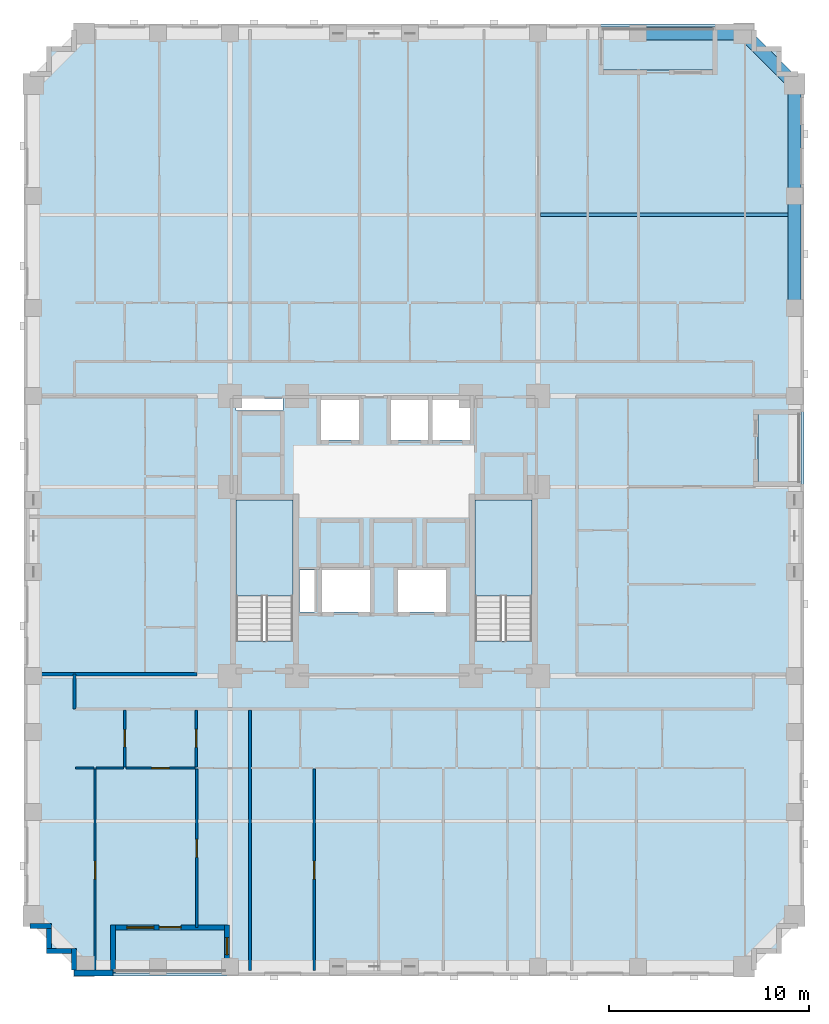
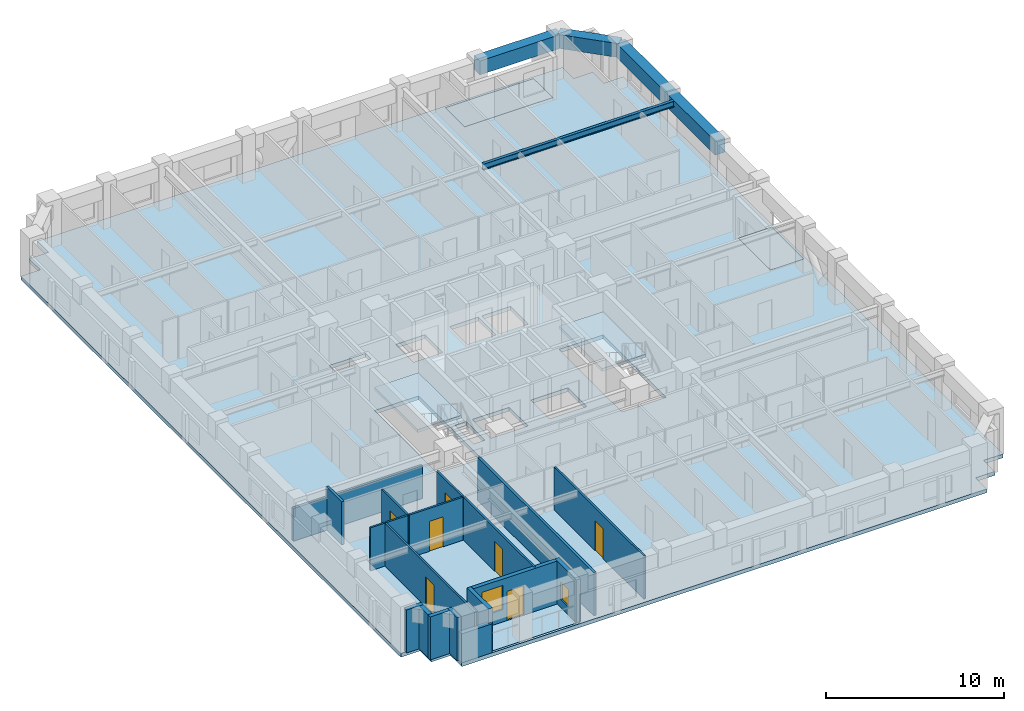
# One storey, part 2 of 14: 19 walls, 7 doors, 6 slabs, 5 beams, 2 windows, 9 openings, 2 elements without a shape of their own.
"""IFC4 building model written with IfcOpenShell, lengths in metres."""

import ifcopenshell
import ifcopenshell.guid

model = None  # the IFC model being written
_history = None  # IfcOwnerHistory: only IFC2X3 demands one
_inside = {}  # id of a spatial element -> (the spatial element, [elements in it])
_under = {}  # id of a project, library or spatial element -> (it, [spatial elements below it])
_declared = {}  # id of a project -> (the project, [libraries it declares])
_typed = {}  # id of a type object -> (the type object, [elements of that type])
_made_of = {}  # id of a material, layer set ... -> (it, [elements and type objects made of it])


def new_model(schema):
    """Start an empty IFC model of exactly this schema.

    Asked for "IFC4X3", IfcOpenShell would pick the latest addendum, in which some entities
    have other attributes; the version numbers below select the first issue.
    IFC2X3 requires an IfcOwnerHistory on every rooted entity: one is made here for all.
    """
    global model, _history
    if schema == "IFC4X3":
        model = ifcopenshell.file(schema_version=(4, 3, 0, 0))
    else:
        model = ifcopenshell.file(schema=schema)
    _inside.clear()
    _under.clear()
    _declared.clear()
    _typed.clear()
    _made_of.clear()
    _history = None
    if model.schema == "IFC2X3":
        org = make("IfcOrganization", Name="unknown")
        user = make(
            "IfcPersonAndOrganization",
            ThePerson=make("IfcPerson", FamilyName="unknown"),
            TheOrganization=org,
        )
        app = make(
            "IfcApplication",
            ApplicationDeveloper=org,
            Version="unknown",
            ApplicationFullName="unknown",
            ApplicationIdentifier="unknown",
        )
        _history = make(
            "IfcOwnerHistory",
            OwningUser=user,
            OwningApplication=app,
            ChangeAction="ADDED",
            CreationDate=0,
        )
    return model


def make(cls, **values):
    """One entity of the class cls with the attributes given. An attribute that is None is left unset."""
    return model.create_entity(
        cls, **{name: value for name, value in values.items() if value is not None}
    )


def rooted(cls, **values):
    """An entity with a GlobalId (a new one), such as an element, a storey or a relation."""
    return make(cls, GlobalId=ifcopenshell.guid.new(), OwnerHistory=_history, **values)


def si_unit(unit_type, name, prefix=None):
    """IfcSIUnit, for example si_unit("LENGTHUNIT", "METRE", prefix="MILLI")."""
    return make("IfcSIUnit", UnitType=unit_type, Prefix=prefix, Name=name)


def derived_unit(unit_type, elements):
    """IfcDerivedUnit: a product of units, each with its exponent."""
    return make(
        "IfcDerivedUnit",
        Elements=[
            make("IfcDerivedUnitElement", Unit=unit, Exponent=power)
            for unit, power in elements
        ],
        UnitType=unit_type,
    )


def assignment(units):
    """IfcUnitAssignment: the units of a project."""
    return None if units is None else make("IfcUnitAssignment", Units=units)


def point(xyz):
    """IfcCartesianPoint."""
    return None if xyz is None else make("IfcCartesianPoint", Coordinates=xyz)


def direction(xyz):
    """IfcDirection."""
    return None if xyz is None else make("IfcDirection", DirectionRatios=xyz)


def frame(location, z_axis=None, x_axis=None):
    """IfcAxis2Placement3D, a coordinate frame: its origin and axes. An axis left out is left unset."""
    return make(
        "IfcAxis2Placement3D",
        Location=point(location),
        Axis=direction(z_axis),
        RefDirection=direction(x_axis),
    )


def frame_2d(location, x_axis=None):
    """IfcAxis2Placement2D, a coordinate frame in the plane: its origin and x axis."""
    return make(
        "IfcAxis2Placement2D", Location=point(location), RefDirection=direction(x_axis)
    )


def origin():
    """The frame at (0, 0, 0) with its axes left unset."""
    return frame((0.0, 0.0, 0.0))


def origin_2d():
    """The frame at (0, 0) in the plane with its x axis left unset."""
    return frame_2d((0.0, 0.0))


def place(relative_to, where):
    """IfcLocalPlacement: puts the frame where relative to a parent placement (None: the world)."""
    return make(
        "IfcLocalPlacement", PlacementRelTo=relative_to, RelativePlacement=where
    )


def context(
    kind, dimensions, precision=None, world=None, true_north=None, identifier=None
):
    """IfcGeometricRepresentationContext, for example the 3D "Model" context."""
    return make(
        "IfcGeometricRepresentationContext",
        ContextIdentifier=identifier,
        ContextType=kind,
        CoordinateSpaceDimension=dimensions,
        Precision=precision,
        WorldCoordinateSystem=world,
        TrueNorth=true_north,
    )


def subcontext(parent, identifier, kind, view, scale=None):
    """IfcGeometricRepresentationSubContext, for example "Body" below "Model"."""
    return make(
        "IfcGeometricRepresentationSubContext",
        ContextIdentifier=identifier,
        ContextType=kind,
        ParentContext=parent,
        TargetScale=scale,
        TargetView=view,
    )


def project(units=None, contexts=None):
    """IfcProject with its units and contexts."""
    return rooted(
        "IfcProject",
        Name="project",
        RepresentationContexts=contexts,
        UnitsInContext=assignment(units),
    )


def spatial(cls, under=None, at=None, **own):
    """A site, building, storey or space (cls), placed at a placement, below another one or the project."""
    s = rooted(cls, ObjectPlacement=at, **own)
    if under is not None:
        _under.setdefault(under.id(), (under, []))[1].append(s)
    return s


def polyline(points):
    """IfcPolyline through the points."""
    return make("IfcPolyline", Points=[point(p) for p in points])


def profile(cls, at=None, kind="AREA", **sizes):
    """A parametric profile (cls). Its sizes go by their IFC names, for example OverallWidth=200.0."""
    return make(cls, ProfileType=kind, Position=at, **sizes)


def rectangle(**sizes):
    """IfcRectangleProfileDef."""
    return profile("IfcRectangleProfileDef", **sizes)


def i_section(**sizes):
    """IfcIShapeProfileDef."""
    return profile("IfcIShapeProfileDef", **sizes)


def outline(outer, holes=None, kind="AREA"):
    """IfcArbitraryClosedProfileDef: a profile drawn as a closed curve; with holes, ...WithVoids."""
    if holes is None:
        return make("IfcArbitraryClosedProfileDef", ProfileType=kind, OuterCurve=outer)
    return make(
        "IfcArbitraryProfileDefWithVoids",
        ProfileType=kind,
        OuterCurve=outer,
        InnerCurves=holes,
    )


def extrude(swept, where, along, depth):
    """IfcExtrudedAreaSolid: the profile swept, set in the frame where, extruded along a direction by depth."""
    return make(
        "IfcExtrudedAreaSolid",
        SweptArea=swept,
        Position=where,
        ExtrudedDirection=direction(along),
        Depth=depth,
    )


def shape(context_of_items, identifier, shape_type, items):
    """IfcShapeRepresentation: the items that make up one representation, for example the "Body"."""
    return make(
        "IfcShapeRepresentation",
        ContextOfItems=context_of_items,
        RepresentationIdentifier=identifier,
        RepresentationType=shape_type,
        Items=items,
    )


def material(Name=None, Category=None):
    """IfcMaterial."""
    return make("IfcMaterial", Name=Name, Category=Category)


def layer(
    of_material, thickness, ventilated=None, Name=None, Category=None, Priority=None
):
    """IfcMaterialLayer: one layer of a wall or slab, of a material (None: an air gap)."""
    return make(
        "IfcMaterialLayer",
        Material=of_material,
        LayerThickness=thickness,
        IsVentilated=ventilated,
        Name=Name,
        Category=Category,
        Priority=Priority,
    )


def layer_set(layers, Name=None):
    """IfcMaterialLayerSet."""
    return make("IfcMaterialLayerSet", MaterialLayers=layers, LayerSetName=Name)


def material_profile(
    of_material, cross_section, Name=None, Category=None, Priority=None
):
    """IfcMaterialProfile: a cross section and its material."""
    return make(
        "IfcMaterialProfile",
        Name=Name,
        Material=of_material,
        Profile=cross_section,
        Priority=Priority,
        Category=Category,
    )


def profile_set(profiles, Name=None, composite=None):
    """IfcMaterialProfileSet."""
    return make(
        "IfcMaterialProfileSet",
        Name=Name,
        MaterialProfiles=profiles,
        CompositeProfile=composite,
    )


def made_of(thing, what):
    """Note that an element or type object is made of a material, layer set ...; save() writes the relation."""
    if what is not None:
        _made_of.setdefault(what.id(), (what, []))[1].append(thing)
    return thing


def type_object(cls, material=None, **own):
    """A type object (cls), such as IfcWallType, which elements share."""
    return made_of(rooted(cls, **own), material)


def element(
    cls,
    number,
    at=None,
    inside=None,
    cuts=None,
    type_object=None,
    material=None,
    context=None,
    identifier="Body",
    shape_type=None,
    held_by="IfcProductDefinitionShape",
    body=None,
    shapes=None,
    **own,
):
    """One element of the class cls, such as IfcWall. Its Tag is "e" and its number.

    at: its placement. inside: the storey or other place that contains it. cuts: it is an
    opening in that element (IfcRelVoidsElement). A single representation is given by context,
    identifier, shape_type and body (its items); several are given by shapes. held_by: the class
    of the entity that holds the representations. save() writes the other relations.
    """
    e = rooted(cls, Tag="e%d" % number, ObjectPlacement=at, **own)
    if body is not None:
        shapes = [shape(context, identifier, shape_type, body)]
    if shapes is not None:
        e.Representation = make(held_by, Representations=shapes)
    if inside is not None:
        _inside.setdefault(inside.id(), (inside, []))[1].append(e)
    if cuts is not None:
        rooted(
            "IfcRelVoidsElement", RelatingBuildingElement=cuts, RelatedOpeningElement=e
        )
    if type_object is not None:
        _typed.setdefault(type_object.id(), (type_object, []))[1].append(e)
    return made_of(e, material)


def fill(opening, filler):
    """IfcRelFillsElement: the door or window that sits in an opening."""
    return rooted(
        "IfcRelFillsElement",
        RelatingOpeningElement=opening,
        RelatedBuildingElement=filler,
    )


def aggregate(whole, parts):
    """IfcRelAggregates: a whole, such as a stair, and the parts it consists of."""
    return rooted("IfcRelAggregates", RelatingObject=whole, RelatedObjects=parts)


def save(model, path):
    """Write the relations noted so far, then the file.

    IfcRelAggregates (storeys below a building ...), IfcRelContainedInSpatialStructure (elements
    in a storey), IfcRelDefinesByType, IfcRelAssociatesMaterial and IfcRelDeclares: one each for
    every whole, place, type object, material and project.
    """
    for whole, parts in _under.values():
        aggregate(whole, parts)
    for where, things in _inside.values():
        rooted(
            "IfcRelContainedInSpatialStructure",
            RelatedElements=things,
            RelatingStructure=where,
        )
    for kind, things in _typed.values():
        rooted("IfcRelDefinesByType", RelatedObjects=things, RelatingType=kind)
    for what, things in _made_of.values():
        rooted("IfcRelAssociatesMaterial", RelatedObjects=things, RelatingMaterial=what)
    for by, libraries in _declared.values():
        rooted("IfcRelDeclares", RelatingContext=by, RelatedDefinitions=libraries)
    model.write(path)


model = new_model("IFC4")

# Units and contexts
model_context = context("Model", 3, precision=1e-05, world=origin(), true_north=direction((0.0, 1.0)))
body_context = subcontext(model_context, "Body", "Model", "MODEL_VIEW")
ifc_project = project(units=[si_unit("LENGTHUNIT", "METRE"), si_unit("AREAUNIT", "SQUARE_METRE"), si_unit("VOLUMEUNIT", "CUBIC_METRE"), si_unit("PLANEANGLEUNIT", "RADIAN"), si_unit("MASSUNIT", "GRAM", prefix="KILO"), derived_unit("THERMALTRANSMITTANCEUNIT", [(si_unit("MASSUNIT", "GRAM", prefix="KILO"), 1), (si_unit("TIMEUNIT", "SECOND"), -3), (si_unit("THERMODYNAMICTEMPERATUREUNIT", "KELVIN"), -1)])], contexts=[model_context])

# Site, building, storey
site_placement = place(None, origin())
site = spatial("IfcSite", under=ifc_project, at=site_placement, CompositionType="ELEMENT")
building_placement = place(site_placement, origin())
building = spatial("IfcBuilding", under=site, at=building_placement, Name="Korrvale Station Residences", CompositionType="ELEMENT")
storey_placement = place(building_placement, frame((0.0, 0.0, 64.199951171875)))
storey = spatial("IfcBuildingStorey", under=building, at=storey_placement, Name="L17", CompositionType="ELEMENT", Elevation=64.199951171875)

# Beams
ifc_material_1 = material(Name="Steel S355", Category="steel")
ifc_material_profile_1 = material_profile(ifc_material_1, i_section(OverallWidth=0.180908203125, OverallDepth=0.4169921875, WebThickness=0.010986328125, FlangeThickness=0.018310546875, FilletRadius=0.01611328125, at=origin_2d()), Name="W410x85")
ifc_profile_set_1 = profile_set([ifc_material_profile_1], Name="Steel S355")
beam_type_1 = type_object("IfcBeamType", Name="BM-JST-W410x85-S355", PredefinedType="JOIST", material=ifc_profile_set_1)
beam_1_placement = place(storey_placement, frame((33.327880859375, 38.06005859375, 2.7314453125), z_axis=(1.0, 0.0, 0.0), x_axis=(0.0, 1.0, 0.0)))
element("IfcBeam", 1, at=beam_1_placement, inside=storey, type_object=beam_type_1, Name="L17 Floor Framing Joist 06", PredefinedType="JOIST", context=body_context, shape_type="SweptSolid", body=[
    extrude(i_section(OverallWidth=0.180908203125, OverallDepth=0.4169921875, WebThickness=0.010986328125, FlangeThickness=0.018310546875, FilletRadius=0.01611328125, at=origin_2d()), origin(), (0.0, 0.0, 1.0), 12.3671875),
])
ifc_material_2 = material(Name="Concrete C70/85", Category="concrete")
ifc_material_profile_2 = material_profile(ifc_material_2, rectangle(XDim=0.64990234375, YDim=0.949951171875, at=origin_2d()), Name="RCB650x950")
ifc_profile_set_2 = profile_set([ifc_material_profile_2], Name="Concrete C70/85")
beam_type_2 = type_object("IfcBeamType", Name="BM-SPB-RCB650x950-C7085", PredefinedType="SPANDREL", material=ifc_profile_set_2)
beam_2_placement = place(storey_placement, frame((38.199951171875, 47.1201171875, 2.465087890625), z_axis=(1.0, 0.0, 0.0), x_axis=(0.0, 1.0, 0.0)))
element("IfcBeam", 2, at=beam_2_placement, inside=storey, type_object=beam_type_2, Name="L17 North Tube Spandrel 14", PredefinedType="SPANDREL", context=body_context, shape_type="SweptSolid", body=[
    extrude(rectangle(XDim=0.64990234375, YDim=0.949951171875, at=origin_2d()), origin(), (0.0, 0.0, 1.0), 5.300048828125),
])
for number, where, z_axis, x_axis, name in (
    (3, (46.02001953125, 33.39990234375, 2.465087890625), (0.0, 1.0, 0.0), (-1.0, 0.0, 0.0), "L17 East Tube Spandrel 31"),
    (4, (46.02001953125, 39.0, 2.465087890625), (0.0, 1.0, 0.0), (-1.0, 0.0, 0.0), "L17 East Tube Spandrel 32"),
):
    element("IfcBeam", number, at=place(storey_placement, frame(where, z_axis=z_axis, x_axis=x_axis)), inside=storey, type_object=beam_type_2, Name=name, PredefinedType="SPANDREL", context=body_context, shape_type="SweptSolid", body=[
        extrude(rectangle(XDim=0.64990234375, YDim=0.949951171875, at=origin_2d()), origin(), (0.0, 0.0, 1.0), 5.60009765625),
    ])
beam_3_placement = place(storey_placement, frame((43.5, 47.1201171875, 2.465087890625), z_axis=(0.707106781187, -0.707106781187, 0.0), x_axis=(0.707106781187, 0.707106781187, 0.0)))
element("IfcBeam", 5, at=beam_3_placement, inside=storey, type_object=beam_type_2, Name="L17 Serrated Corner Spandrel 35", PredefinedType="SPANDREL", context=body_context, shape_type="SweptSolid", body=[
    extrude(rectangle(XDim=0.64990234375, YDim=0.949951171875, at=origin_2d()), origin(), (0.0, 0.0, 1.0), 3.56396484375),
])

# Slabs
ifc_material_3 = material(Name="Concrete C50/60", Category="concrete")
ifc_layer_1 = layer(ifc_material_3, 0.219970703125, Name="Concrete C50/60")
ifc_layer_set_1 = layer_set([ifc_layer_1], Name="Concrete C50/60")
slab_type_1 = type_object("IfcSlabType", Name="SLB-BAL-220", PredefinedType="FLOOR", material=ifc_layer_set_1)
slab_1_placement = place(storey_placement, frame((0.0, 0.0, -0.219970703125)))
element("IfcSlab", 6, at=slab_1_placement, inside=storey, type_object=slab_type_1, Name="L17 Recessed Loggia Balcony Slab BAL-L17-S1", PredefinedType="FLOOR", context=body_context, shape_type="SweptSolid", body=[
    extrude(outline(polyline([(11.949951171875, 0.14990234375), (17.64990234375, 0.14990234375), (17.64990234375, 2.300048828125), (11.949951171875, 2.300048828125), (11.949951171875, 0.14990234375)])), origin(), (0.0, 0.0, 1.0), 0.219970703125),
])
slab_2_placement = place(storey_placement, frame((0.0, 0.0, -0.219970703125)))
element("IfcSlab", 7, at=slab_2_placement, inside=storey, type_object=slab_type_1, Name="L17 Recessed Loggia Balcony Slab BAL-L17-N1", PredefinedType="FLOOR", context=body_context, shape_type="SweptSolid", body=[
    extrude(outline(polyline([(36.35009765625, 45.300048828125), (42.050048828125, 45.300048828125), (42.050048828125, 47.449951171875), (36.35009765625, 47.449951171875), (36.35009765625, 45.300048828125)])), origin(), (0.0, 0.0, 1.0), 0.219970703125),
])
slab_3_placement = place(storey_placement, frame((0.0, 0.0, -0.219970703125)))
element("IfcSlab", 8, at=slab_3_placement, inside=storey, type_object=slab_type_1, Name="L17 Recessed Loggia Balcony Slab BAL-L17-E1", PredefinedType="FLOOR", context=body_context, shape_type="SweptSolid", body=[
    extrude(outline(polyline([(44.199951171875, 24.60009765625), (46.35009765625, 24.60009765625), (46.35009765625, 28.199951171875), (44.199951171875, 28.199951171875), (44.199951171875, 24.60009765625)])), origin(), (0.0, 0.0, 1.0), 0.219970703125),
])
ifc_layer_2 = layer(ifc_material_3, 0.260009765625, Name="Concrete C50/60")
ifc_layer_set_2 = layer_set([ifc_layer_2], Name="Concrete C50/60")
slab_type_2 = type_object("IfcSlabType", Name="SLB-FLR-260", PredefinedType="FLOOR", material=ifc_layer_set_2)
slab_4_placement = place(storey_placement, frame((0.0, 0.0, -0.260009765625)))
element("IfcSlab", 9, at=slab_4_placement, inside=storey, type_object=slab_type_2, Name="L17 Suspended Structural Floor Slab", PredefinedType="FLOOR", context=body_context, shape_type="SweptSolid", body=[
    extrude(outline(polyline([(10.0, 0.0), (44.0, 0.0), (44.0, 1.25), (45.25, 1.25), (45.25, 2.5), (46.5, 2.5), (46.5, 45.10009765625), (45.25, 45.10009765625), (45.25, 46.35009765625), (44.0, 46.35009765625), (44.0, 47.60009765625), (10.0, 47.60009765625), (10.0, 46.35009765625), (8.75, 46.35009765625), (8.75, 45.10009765625), (7.5, 45.10009765625), (7.5, 2.5), (8.75, 2.5), (8.75, 1.25), (10.0, 1.25), (10.0, 0.0)]), holes=[polyline([(20.949951171875, 16.751953125), (20.949951171875, 23.800048828125), (18.10009765625, 23.800048828125), (18.10009765625, 16.751953125), (20.949951171875, 16.751953125)]), polyline([(32.89990234375, 16.751953125), (32.89990234375, 23.800048828125), (30.050048828125, 23.800048828125), (30.050048828125, 16.751953125), (32.89990234375, 16.751953125)]), polyline([(22.35009765625, 26.800048828125), (24.25, 26.800048828125), (24.25, 28.800048828125), (22.35009765625, 28.800048828125), (22.35009765625, 26.800048828125)]), polyline([(25.85009765625, 26.800048828125), (27.7099609375, 26.800048828125), (27.7099609375, 28.800048828125), (25.85009765625, 28.800048828125), (25.85009765625, 26.800048828125)]), polyline([(27.929931640625, 26.800048828125), (29.7900390625, 26.800048828125), (29.7900390625, 28.800048828125), (27.929931640625, 28.800048828125), (27.929931640625, 26.800048828125)]), polyline([(22.39990234375, 18.199951171875), (24.800048828125, 18.199951171875), (24.800048828125, 20.300048828125), (22.39990234375, 20.300048828125), (22.39990234375, 18.199951171875)]), polyline([(26.199951171875, 18.199951171875), (28.60009765625, 18.199951171875), (28.60009765625, 20.300048828125), (26.199951171875, 20.300048828125), (26.199951171875, 18.199951171875)]), polyline([(18.10009765625, 28.280029296875), (20.449951171875, 28.280029296875), (20.449951171875, 28.8798828125), (18.10009765625, 28.8798828125), (18.10009765625, 28.280029296875)]), polyline([(21.280029296875, 18.199951171875), (22.02001953125, 18.199951171875), (22.02001953125, 20.300048828125), (21.280029296875, 20.300048828125), (21.280029296875, 18.199951171875)]), polyline([(11.949951171875, 0.14990234375), (17.64990234375, 0.14990234375), (17.64990234375, 2.300048828125), (11.949951171875, 2.300048828125), (11.949951171875, 0.14990234375)]), polyline([(36.35009765625, 45.300048828125), (42.050048828125, 45.300048828125), (42.050048828125, 47.449951171875), (36.35009765625, 47.449951171875), (36.35009765625, 45.300048828125)]), polyline([(44.199951171875, 24.60009765625), (46.35009765625, 24.60009765625), (46.35009765625, 28.199951171875), (44.199951171875, 28.199951171875), (44.199951171875, 24.60009765625)])]), origin(), (0.0, 0.0, 1.0), 0.260009765625),
])

# Stair, slab
stair_type = type_object("IfcStairType", Name="STR-DL-1350-18R-1778", PredefinedType="HALF_TURN_STAIR", material=ifc_material_3)
stair_1_placement = place(storey_placement, origin())
stair_1 = element("IfcStair", 10, at=stair_1_placement, inside=storey, type_object=stair_type, Name="L17 Exit Stair 1", PredefinedType="HALF_TURN_STAIR")
ifc_layer_3 = layer(ifc_material_3, 0.199951171875, Name="Concrete C50/60")
ifc_layer_set_3 = layer_set([ifc_layer_3], Name="Concrete C50/60")
slab_type_3 = type_object("IfcSlabType", Name="SLB-LND-200", PredefinedType="LANDING", material=ifc_layer_set_3)
slab_5_placement = place(storey_placement, frame((0.0, 0.0, 1.400146484375)))
slab_5 = element("IfcSlab", 11, at=slab_5_placement, type_object=slab_type_3, Name="ST-1 landing 1", PredefinedType="LANDING", context=body_context, shape_type="SweptSolid", body=[
    extrude(outline(polyline([(20.949951171875, 18.989990234375), (20.949951171875, 23.800048828125), (18.10009765625, 23.800048828125), (18.10009765625, 18.989990234375), (20.949951171875, 18.989990234375)])), origin(), (0.0, 0.0, 1.0), 0.199951171875),
])
aggregate(stair_1, [slab_5])

stair_2_placement = place(storey_placement, origin())
stair_2 = element("IfcStair", 12, at=stair_2_placement, inside=storey, type_object=stair_type, Name="L17 Exit Stair 2", PredefinedType="HALF_TURN_STAIR")
slab_6_placement = place(storey_placement, frame((0.0, 0.0, 1.400146484375)))
slab_6 = element("IfcSlab", 13, at=slab_6_placement, type_object=slab_type_3, Name="ST-2 landing 1", PredefinedType="LANDING", context=body_context, shape_type="SweptSolid", body=[
    extrude(outline(polyline([(32.89990234375, 18.989990234375), (32.89990234375, 23.800048828125), (30.050048828125, 23.800048828125), (30.050048828125, 18.989990234375), (32.89990234375, 18.989990234375)])), origin(), (0.0, 0.0, 1.0), 0.199951171875),
])
aggregate(stair_2, [slab_6])

# Wall, opening, window
ifc_material_4 = material(Name="Precast concrete C45/55", Category="concrete")
ifc_layer_4 = layer(ifc_material_4, 0.260009765625, Name="Precast concrete C45/55")
ifc_layer_set_4 = layer_set([ifc_layer_4], Name="Precast concrete C45/55")
wall_type_1 = type_object("IfcWallType", Name="WAL-EXT-LOG260", PredefinedType="SOLIDWALL", material=ifc_layer_set_4)
wall_1_placement = place(storey_placement, frame((17.64990234375, 0.159912109375, 0.0), z_axis=(0.0, 0.0, 1.0), x_axis=(0.0, 1.0, 0.0)))
wall_1 = element("IfcWall", 14, at=wall_1_placement, inside=storey, type_object=wall_type_1, Name="L17 Recessed Loggia Wall BAL-L17-S1-L", PredefinedType="SOLIDWALL", context=body_context, shape_type="SweptSolid", body=[
    extrude(rectangle(XDim=2.400146484375, YDim=0.260009765625, at=frame_2d((1.2001953125, 0.0))), origin(), (0.0, 0.0, 1.0), 2.93994140625),
])
opening_1_placement = place(wall_1_placement, frame((0.905029296875, 0.0, 0.550048828125)))
opening_1 = element("IfcOpeningElement", 15, at=opening_1_placement, cuts=wall_1, Name="Opening W-11", PredefinedType="OPENING", context=body_context, shape_type="SweptSolid", body=[
    extrude(rectangle(XDim=0.85009765625, YDim=1.199951171875, at=frame_2d((0.425048828125, 0.60009765625))), frame((0.0, 0.14013671875, 0.0), z_axis=(0.0, -1.0, 0.0), x_axis=(1.0, 0.0, 0.0)), (0.0, 0.0, 1.0), 0.280029296875),
])
ifc_material_5 = material(Name="Thermally broken aluminium frame with triple low-e glazing", Category="aluminium")
window_type_1 = type_object("IfcWindowType", Name="WIN-W11", PartitioningType="SINGLE_PANEL", PredefinedType="WINDOW", material=ifc_material_5)
window_1_placement = place(opening_1_placement, origin())
window_1 = element("IfcWindow", 16, at=window_1_placement, inside=storey, type_object=window_type_1, Name="L17 Punched Window 04", OverallHeight=1.199951171875, OverallWidth=0.85009765625, PartitioningType="SINGLE_PANEL", PredefinedType="WINDOW", context=body_context, shape_type="SweptSolid", body=[
    extrude(rectangle(XDim=0.85009765625, YDim=1.199951171875, at=frame_2d((0.425048828125, 0.60009765625))), frame((0.0, 0.030029296875, 0.0), z_axis=(0.0, -1.0, 0.0), x_axis=(1.0, 0.0, 0.0)), (0.0, 0.0, 1.0), 0.06005859375),
])
fill(opening_1, window_1)

# Wall, openings, door, window
wall_2_placement = place(storey_placement, frame((17.51611328125, 2.429931640625, 0.0), z_axis=(0.0, 0.0, 1.0), x_axis=(-1.0, 0.0, 0.0)))
wall_2 = element("IfcWall", 17, at=wall_2_placement, inside=storey, type_object=wall_type_1, Name="L17 Recessed Loggia Wall BAL-L17-S1-B", PredefinedType="SOLIDWALL", context=body_context, shape_type="SweptSolid", body=[
    extrude(rectangle(XDim=5.43212890625, YDim=0.260009765625, at=frame_2d((2.716064453125, 0.0))), origin(), (0.0, 0.0, 1.0), 2.93994140625),
])
opening_2_placement = place(wall_2_placement, frame((2.166015625, 0.0, 0.0)))
opening_2 = element("IfcOpeningElement", 18, at=opening_2_placement, cuts=wall_2, Name="Opening BD-01", PredefinedType="OPENING", context=body_context, shape_type="SweptSolid", body=[
    extrude(rectangle(XDim=1.10009765625, YDim=2.0, at=frame_2d((0.550048828125, 1.0))), frame((0.0, 0.14013671875, 0.0), z_axis=(0.0, -1.0, 0.0), x_axis=(1.0, 0.0, 0.0)), (0.0, 0.0, 1.0), 0.280029296875),
])
opening_3_placement = place(wall_2_placement, frame((3.52587890625, 0.0, 0.85009765625)))
opening_3 = element("IfcOpeningElement", 19, at=opening_3_placement, cuts=wall_2, Name="Opening W-06", PredefinedType="OPENING", context=body_context, shape_type="SweptSolid", body=[
    extrude(rectangle(XDim=1.35009765625, YDim=1.64990234375, at=frame_2d((0.675048828125, 0.824951171875))), frame((0.0, 0.14013671875, 0.0), z_axis=(0.0, -1.0, 0.0), x_axis=(1.0, 0.0, 0.0)), (0.0, 0.0, 1.0), 0.280029296875),
])
ifc_material_6 = material(Name="Exterior thermally broken aluminium glazed balcony door", Category="aluminium")
door_type_1 = type_object("IfcDoorType", Name="DR-EXT-BAL", OperationType="NOTDEFINED", PredefinedType="DOOR", material=ifc_material_6)
door_1_placement = place(opening_2_placement, origin())
door_1 = element("IfcDoor", 20, at=door_1_placement, inside=storey, type_object=door_type_1, Name="L17 Loggia Balcony Door BAL-L17-S1", OperationType="SINGLE_SWING_RIGHT", OverallHeight=2.0, OverallWidth=1.10009765625, PredefinedType="DOOR", context=body_context, shape_type="SweptSolid", body=[
    extrude(rectangle(XDim=1.10009765625, YDim=2.0, at=frame_2d((0.550048828125, 1.0))), frame((0.0, 0.02490234375, 0.0), z_axis=(0.0, -1.0, 0.0), x_axis=(1.0, 0.0, 0.0)), (0.0, 0.0, 1.0), 0.050048828125),
])
fill(opening_2, door_1)
window_type_2 = type_object("IfcWindowType", Name="WIN-W06", PartitioningType="SINGLE_PANEL", PredefinedType="WINDOW", material=ifc_material_5)
window_2_placement = place(opening_3_placement, origin())
window_2 = element("IfcWindow", 21, at=window_2_placement, inside=storey, type_object=window_type_2, Name="L17 Punched Window 03", OverallHeight=1.64990234375, OverallWidth=1.35009765625, PartitioningType="SINGLE_PANEL", PredefinedType="WINDOW", context=body_context, shape_type="SweptSolid", body=[
    extrude(rectangle(XDim=1.35009765625, YDim=1.64990234375, at=frame_2d((0.675048828125, 0.824951171875))), frame((0.0, 0.030029296875, 0.0), z_axis=(0.0, -1.0, 0.0), x_axis=(1.0, 0.0, 0.0)), (0.0, 0.0, 1.0), 0.06005859375),
])
fill(opening_3, window_2)

# Walls
wall_3_placement = place(storey_placement, frame((11.949951171875, 2.56005859375, 0.0), z_axis=(0.0, 0.0, 1.0), x_axis=(0.0, -1.0, 0.0)))
element("IfcWall", 22, at=wall_3_placement, inside=storey, type_object=wall_type_1, Name="L17 Recessed Loggia Wall BAL-L17-S1-R", PredefinedType="SOLIDWALL", context=body_context, shape_type="SweptSolid", body=[
    extrude(rectangle(XDim=2.400146484375, YDim=0.260009765625, at=frame_2d((1.2001953125, 0.0))), origin(), (0.0, 0.0, 1.0), 2.93994140625),
])
wall_4_placement = place(storey_placement, frame((10.0, 0.302001953125, 0.0), z_axis=(0.0, 0.0, 1.0), x_axis=(0.0, 1.0, 0.0)))
element("IfcWall", 23, at=wall_4_placement, inside=storey, type_object=wall_type_1, Name="L17 Serrated Corner Precast Step SW-1", PredefinedType="SOLIDWALL", context=body_context, shape_type="SweptSolid", body=[
    extrude(rectangle(XDim=1.077880859375, YDim=0.260009765625, at=frame_2d((0.5390625, 0.0))), origin(), (0.0, 0.0, 1.0), 2.93994140625),
])
wall_5_placement = place(storey_placement, frame((9.867919921875, 1.25, 0.0), z_axis=(0.0, 0.0, 1.0), x_axis=(-1.0, 0.0, 0.0)))
element("IfcWall", 24, at=wall_5_placement, inside=storey, type_object=wall_type_1, Name="L17 Serrated Corner Precast Step SW-2", PredefinedType="SOLIDWALL", context=body_context, shape_type="SweptSolid", body=[
    extrude(rectangle(XDim=1.247802734375, YDim=0.260009765625, at=frame_2d((0.6240234375, 0.0))), origin(), (0.0, 0.0, 1.0), 2.93994140625),
])
wall_6_placement = place(storey_placement, frame((8.75, 1.382080078125, 0.0), z_axis=(0.0, 0.0, 1.0), x_axis=(0.0, 1.0, 0.0)))
element("IfcWall", 25, at=wall_6_placement, inside=storey, type_object=wall_type_1, Name="L17 Serrated Corner Precast Step SW-3", PredefinedType="SOLIDWALL", context=body_context, shape_type="SweptSolid", body=[
    extrude(rectangle(XDim=0.98583984375, YDim=0.260009765625, at=frame_2d((0.492919921875, 0.0))), origin(), (0.0, 0.0, 1.0), 2.93994140625),
])
wall_7_placement = place(storey_placement, frame((8.8798828125, 2.5, 0.0), z_axis=(0.0, 0.0, 1.0), x_axis=(-1.0, 0.0, 0.0)))
element("IfcWall", 26, at=wall_7_placement, inside=storey, type_object=wall_type_1, Name="L17 Serrated Corner Precast Step SW-4", PredefinedType="SOLIDWALL", context=body_context, shape_type="SweptSolid", body=[
    extrude(rectangle(XDim=1.077880859375, YDim=0.260009765625, at=frame_2d((0.5390625, 0.0))), origin(), (0.0, 0.0, 1.0), 2.93994140625),
])
ifc_layer_5 = layer(ifc_material_4, 0.300048828125, Name="Precast concrete C45/55")
ifc_layer_set_5 = layer_set([ifc_layer_5], Name="Precast concrete C45/55")
wall_type_2 = type_object("IfcWallType", Name="WAL-EXT-PC300", PredefinedType="SOLIDWALL", material=ifc_layer_set_5)
wall_8_placement = place(storey_placement, frame((11.949951171875, 0.14990234375, 0.0), z_axis=(0.0, 0.0, 1.0), x_axis=(-1.0, 0.0, 0.0)))
element("IfcWall", 27, at=wall_8_placement, inside=storey, type_object=wall_type_2, Name="L17 South Exterior Precast Wall 2", PredefinedType="SOLIDWALL", context=body_context, shape_type="SweptSolid", body=[
    extrude(rectangle(XDim=1.949951171875, YDim=0.300048828125, at=frame_2d((0.97509765625, 0.0))), origin(), (0.0, 0.0, 1.0), 1.97509765625),
])

# Wall, opening, door
ifc_material_7 = material(Name="Acoustic steel-stud gypsum board partition", Category="steel")
ifc_layer_6 = layer(ifc_material_7, 0.1201171875, Name="Acoustic steel-stud gypsum board partition")
ifc_layer_set_6 = layer_set([ifc_layer_6], Name="Acoustic steel-stud gypsum board partition")
wall_type_3 = type_object("IfcWallType", Name="WAL-PART-125", PredefinedType="PARTITIONING", material=ifc_layer_set_6)
wall_9_placement = place(storey_placement, frame((12.5400390625, 10.4599609375, 0.0), z_axis=(0.0, 0.0, 1.0), x_axis=(0.0, 1.0, 0.0)))
wall_9 = element("IfcWall", 28, at=wall_9_placement, inside=storey, type_object=wall_type_3, Name="L17 Suite Partition U01-V01", PredefinedType="PARTITIONING", context=body_context, shape_type="SweptSolid", body=[
    extrude(rectangle(XDim=2.85009765625, YDim=0.1201171875, at=frame_2d((1.425048828125, 0.0))), origin(), (0.0, 0.0, 1.0), 2.93994140625),
])
opening_4_placement = place(wall_9_placement, frame((0.9951171875, 0.0, 0.0)))
opening_4 = element("IfcOpeningElement", 29, at=opening_4_placement, cuts=wall_9, Name="Opening DB-860", PredefinedType="OPENING", context=body_context, shape_type="SweptSolid", body=[
    extrude(rectangle(XDim=0.860107421875, YDim=2.050048828125, at=frame_2d((0.43017578125, 1.02490234375))), frame((0.0, 0.070068359375, 0.0), z_axis=(0.0, -1.0, 0.0), x_axis=(1.0, 0.0, 0.0)), (0.0, 0.0, 1.0), 0.14013671875),
])
ifc_material_8 = material(Name="Moisture-resistant solid-core bathroom door", Category="timber")
door_type_2 = type_object("IfcDoorType", Name="DR-BATH-860", OperationType="NOTDEFINED", PredefinedType="DOOR", material=ifc_material_8)
door_2_placement = place(opening_4_placement, origin())
door_2 = element("IfcDoor", 30, at=door_2_placement, inside=storey, type_object=door_type_2, Name="L17 Studio Apartment L17-U01 Bathroom Door", OperationType="SINGLE_SWING_RIGHT", OverallHeight=2.050048828125, OverallWidth=0.860107421875, PredefinedType="DOOR", context=body_context, shape_type="SweptSolid", body=[
    extrude(rectangle(XDim=0.860107421875, YDim=2.050048828125, at=frame_2d((0.43017578125, 1.02490234375))), frame((0.0, 0.02490234375, 0.0), z_axis=(0.0, -1.0, 0.0), x_axis=(1.0, 0.0, 0.0)), (0.0, 0.0, 1.0), 0.050048828125),
])
fill(opening_4, door_2)

# Walls
wall_10_placement = place(storey_placement, frame((10.080078125, 10.39990234375, 0.0), z_axis=(0.0, 0.0, 1.0), x_axis=(1.0, 0.0, 0.0)))
element("IfcWall", 31, at=wall_10_placement, inside=storey, type_object=wall_type_3, Name="L17 Suite Partition U01-H03", PredefinedType="PARTITIONING", context=body_context, shape_type="SweptSolid", body=[
    extrude(rectangle(XDim=0.909912109375, YDim=0.1201171875, at=frame_2d((0.455078125, 0.0))), origin(), (0.0, 0.0, 1.0), 2.93994140625),
])
wall_11_placement = place(storey_placement, frame((11.110107421875, 10.39990234375, 0.0), z_axis=(0.0, 0.0, 1.0), x_axis=(1.0, 0.0, 0.0)))
element("IfcWall", 32, at=wall_11_placement, inside=storey, type_object=wall_type_3, Name="L17 Suite Partition U01-H04", PredefinedType="PARTITIONING", context=body_context, shape_type="SweptSolid", body=[
    extrude(rectangle(XDim=1.369873046875, YDim=0.1201171875, at=frame_2d((0.68505859375, 0.0))), origin(), (0.0, 0.0, 1.0), 2.93994140625),
])

# Wall, opening, door
wall_12_placement = place(storey_placement, frame((16.110107421875, 10.4599609375, 0.0), z_axis=(0.0, 0.0, 1.0), x_axis=(0.0, 1.0, 0.0)))
wall_12 = element("IfcWall", 33, at=wall_12_placement, inside=storey, type_object=wall_type_3, Name="L17 Suite Partition U01-V12", PredefinedType="PARTITIONING", context=body_context, shape_type="SweptSolid", body=[
    extrude(rectangle(XDim=2.85009765625, YDim=0.1201171875, at=frame_2d((1.425048828125, 0.0))), origin(), (0.0, 0.0, 1.0), 2.93994140625),
])
opening_5_placement = place(wall_12_placement, frame((0.97509765625, 0.0, 0.0)))
opening_5 = element("IfcOpeningElement", 34, at=opening_5_placement, cuts=wall_12, Name="Opening DI-900", PredefinedType="OPENING", context=body_context, shape_type="SweptSolid", body=[
    extrude(rectangle(XDim=0.89990234375, YDim=2.050048828125, at=frame_2d((0.449951171875, 1.02490234375))), frame((0.0, 0.070068359375, 0.0), z_axis=(0.0, -1.0, 0.0), x_axis=(1.0, 0.0, 0.0)), (0.0, 0.0, 1.0), 0.14013671875),
])
ifc_material_9 = material(Name="Painted solid-core timber interior room door", Category="wood")
door_type_3 = type_object("IfcDoorType", Name="DR-INT-900", OperationType="NOTDEFINED", PredefinedType="DOOR", material=ifc_material_9)
door_3_placement = place(opening_5_placement, origin())
door_3 = element("IfcDoor", 35, at=door_3_placement, inside=storey, type_object=door_type_3, Name="L17 Studio Apartment L17-U01 Kitchen Door", OperationType="SINGLE_SWING_LEFT", OverallHeight=2.050048828125, OverallWidth=0.89990234375, PredefinedType="DOOR", context=body_context, shape_type="SweptSolid", body=[
    extrude(rectangle(XDim=0.89990234375, YDim=2.050048828125, at=frame_2d((0.449951171875, 1.02490234375))), frame((0.0, 0.02490234375, 0.0), z_axis=(0.0, -1.0, 0.0), x_axis=(1.0, 0.0, 0.0)), (0.0, 0.0, 1.0), 0.050048828125),
])
fill(opening_5, door_3)

wall_13_placement = place(storey_placement, frame((12.60009765625, 10.39990234375, 0.0), z_axis=(0.0, 0.0, 1.0), x_axis=(1.0, 0.0, 0.0)))
wall_13 = element("IfcWall", 36, at=wall_13_placement, inside=storey, type_object=wall_type_3, Name="L17 Suite Partition U01-H14", PredefinedType="PARTITIONING", context=body_context, shape_type="SweptSolid", body=[
    extrude(rectangle(XDim=3.449951171875, YDim=0.1201171875, at=frame_2d((1.72509765625, 0.0))), origin(), (0.0, 0.0, 1.0), 2.93994140625),
])
opening_6_placement = place(wall_13_placement, frame((1.27490234375, 0.0, 0.0)))
opening_6 = element("IfcOpeningElement", 37, at=opening_6_placement, cuts=wall_13, Name="Opening DI-900", PredefinedType="OPENING", context=body_context, shape_type="SweptSolid", body=[
    extrude(rectangle(XDim=0.89990234375, YDim=2.050048828125, at=frame_2d((0.449951171875, 1.02490234375))), frame((0.0, 0.070068359375, 0.0), z_axis=(0.0, -1.0, 0.0), x_axis=(1.0, 0.0, 0.0)), (0.0, 0.0, 1.0), 0.14013671875),
])
door_4_placement = place(opening_6_placement, origin())
door_4 = element("IfcDoor", 38, at=door_4_placement, inside=storey, type_object=door_type_3, Name="L17 Studio Apartment L17-U01 Kitchen Door", OperationType="SINGLE_SWING_RIGHT", OverallHeight=2.050048828125, OverallWidth=0.89990234375, PredefinedType="DOOR", context=body_context, shape_type="SweptSolid", body=[
    extrude(rectangle(XDim=0.89990234375, YDim=2.050048828125, at=frame_2d((0.449951171875, 1.02490234375))), frame((0.0, 0.02490234375, 0.0), z_axis=(0.0, -1.0, 0.0), x_axis=(1.0, 0.0, 0.0)), (0.0, 0.0, 1.0), 0.050048828125),
])
fill(opening_6, door_4)

wall_14_placement = place(storey_placement, frame((11.050048828125, 0.280029296875, 0.0), z_axis=(0.0, 0.0, 1.0), x_axis=(0.0, 1.0, 0.0)))
wall_14 = element("IfcWall", 39, at=wall_14_placement, inside=storey, type_object=wall_type_3, Name="L17 Suite Partition U01-V34", PredefinedType="PARTITIONING", context=body_context, shape_type="SweptSolid", body=[
    extrude(rectangle(XDim=10.06005859375, YDim=0.1201171875, at=frame_2d((5.030029296875, 0.0))), origin(), (0.0, 0.0, 1.0), 2.93994140625),
])
opening_7_placement = place(wall_14_placement, frame((4.56494140625, 0.0, 0.0)))
opening_7 = element("IfcOpeningElement", 40, at=opening_7_placement, cuts=wall_14, Name="Opening DI-900", PredefinedType="OPENING", context=body_context, shape_type="SweptSolid", body=[
    extrude(rectangle(XDim=0.89990234375, YDim=2.050048828125, at=frame_2d((0.449951171875, 1.02490234375))), frame((0.0, 0.070068359375, 0.0), z_axis=(0.0, -1.0, 0.0), x_axis=(1.0, 0.0, 0.0)), (0.0, 0.0, 1.0), 0.14013671875),
])
door_5_placement = place(opening_7_placement, origin())
door_5 = element("IfcDoor", 41, at=door_5_placement, inside=storey, type_object=door_type_3, Name="L17 Studio Apartment L17-U01 Walk-In Wardrobe Door", OperationType="SINGLE_SWING_RIGHT", OverallHeight=2.050048828125, OverallWidth=0.89990234375, PredefinedType="DOOR", context=body_context, shape_type="SweptSolid", body=[
    extrude(rectangle(XDim=0.89990234375, YDim=2.050048828125, at=frame_2d((0.449951171875, 1.02490234375))), frame((0.0, 0.02490234375, 0.0), z_axis=(0.0, -1.0, 0.0), x_axis=(1.0, 0.0, 0.0)), (0.0, 0.0, 1.0), 0.050048828125),
])
fill(opening_7, door_5)

wall_15_placement = place(storey_placement, frame((16.135986328125, 2.429931640625, 0.0), z_axis=(0.0, 0.0, 1.0), x_axis=(0.0, 1.0, 0.0)))
wall_15 = element("IfcWall", 42, at=wall_15_placement, inside=storey, type_object=wall_type_3, Name="L17 Suite Partition U01-V45", PredefinedType="PARTITIONING", context=body_context, shape_type="SweptSolid", body=[
    extrude(rectangle(XDim=7.91015625, YDim=0.1201171875, at=frame_2d((3.955078125, 0.0))), origin(), (0.0, 0.0, 1.0), 2.93994140625),
])
opening_8_placement = place(wall_15_placement, frame((3.5048828125, 0.0, 0.0)))
opening_8 = element("IfcOpeningElement", 43, at=opening_8_placement, cuts=wall_15, Name="Opening DI-900", PredefinedType="OPENING", context=body_context, shape_type="SweptSolid", body=[
    extrude(rectangle(XDim=0.89990234375, YDim=2.050048828125, at=frame_2d((0.449951171875, 1.02490234375))), frame((0.0, 0.070068359375, 0.0), z_axis=(0.0, -1.0, 0.0), x_axis=(1.0, 0.0, 0.0)), (0.0, 0.0, 1.0), 0.14013671875),
])
door_6_placement = place(opening_8_placement, origin())
door_6 = element("IfcDoor", 44, at=door_6_placement, inside=storey, type_object=door_type_3, Name="L17 Studio Apartment L17-U01 Studio Living Room Door", OperationType="SINGLE_SWING_LEFT", OverallHeight=2.050048828125, OverallWidth=0.89990234375, PredefinedType="DOOR", context=body_context, shape_type="SweptSolid", body=[
    extrude(rectangle(XDim=0.89990234375, YDim=2.050048828125, at=frame_2d((0.449951171875, 1.02490234375))), frame((0.0, 0.02490234375, 0.0), z_axis=(0.0, -1.0, 0.0), x_axis=(1.0, 0.0, 0.0)), (0.0, 0.0, 1.0), 0.050048828125),
])
fill(opening_8, door_6)

wall_16_placement = place(storey_placement, frame((22.01611328125, 0.280029296875, 0.0), z_axis=(0.0, 0.0, 1.0), x_axis=(0.0, 1.0, 0.0)))
wall_16 = element("IfcWall", 45, at=wall_16_placement, inside=storey, type_object=wall_type_3, Name="L17 Suite Partition U02-V78", PredefinedType="PARTITIONING", context=body_context, shape_type="SweptSolid", body=[
    extrude(rectangle(XDim=10.06005859375, YDim=0.1201171875, at=frame_2d((5.030029296875, 0.0))), origin(), (0.0, 0.0, 1.0), 2.93994140625),
])
opening_9_placement = place(wall_16_placement, frame((4.56494140625, 0.0, 0.0)))
opening_9 = element("IfcOpeningElement", 46, at=opening_9_placement, cuts=wall_16, Name="Opening DI-900", PredefinedType="OPENING", context=body_context, shape_type="SweptSolid", body=[
    extrude(rectangle(XDim=0.89990234375, YDim=2.050048828125, at=frame_2d((0.449951171875, 1.02490234375))), frame((0.0, 0.070068359375, 0.0), z_axis=(0.0, -1.0, 0.0), x_axis=(1.0, 0.0, 0.0)), (0.0, 0.0, 1.0), 0.14013671875),
])
door_7_placement = place(opening_9_placement, origin())
door_7 = element("IfcDoor", 47, at=door_7_placement, inside=storey, type_object=door_type_3, Name="L17 Studio Apartment L17-U02 Formal Dining Room Door", OperationType="SINGLE_SWING_LEFT", OverallHeight=2.050048828125, OverallWidth=0.89990234375, PredefinedType="DOOR", context=body_context, shape_type="SweptSolid", body=[
    extrude(rectangle(XDim=0.89990234375, YDim=2.050048828125, at=frame_2d((0.449951171875, 1.02490234375))), frame((0.0, 0.02490234375, 0.0), z_axis=(0.0, -1.0, 0.0), x_axis=(1.0, 0.0, 0.0)), (0.0, 0.0, 1.0), 0.050048828125),
])
fill(opening_9, door_7)

# Walls
ifc_material_10 = material(Name="Fire-rated twin-stud gypsum and mineral wool shaftwall assembly", Category="gypsum")
ifc_layer_7 = layer(ifc_material_10, 0.159912109375, Name="Fire-rated twin-stud gypsum and mineral wool shaftwall assembly")
ifc_layer_set_7 = layer_set([ifc_layer_7], Name="Fire-rated twin-stud gypsum and mineral wool shaftwall assembly")
wall_type_4 = type_object("IfcWallType", Name="WAL-PART-200", PredefinedType="PARTITIONING", material=ifc_layer_set_7)
wall_17_placement = place(storey_placement, frame((10.02001953125, 13.35009765625, 0.0), z_axis=(0.0, 0.0, 1.0), x_axis=(0.0, 1.0, 0.0)))
element("IfcWall", 48, at=wall_17_placement, inside=storey, type_object=wall_type_4, Name="L17 Corridor South West Cap", PredefinedType="PARTITIONING", context=body_context, shape_type="SweptSolid", body=[
    extrude(rectangle(XDim=1.739990234375, YDim=0.159912109375, at=frame_2d((0.8701171875, 0.0))), origin(), (0.0, 0.0, 1.0), 2.93994140625),
])
wall_18_placement = place(storey_placement, frame((7.780029296875, 15.090087890625, 0.0), z_axis=(0.0, 0.0, 1.0), x_axis=(1.0, 0.0, 0.0)))
element("IfcWall", 49, at=wall_18_placement, inside=storey, type_object=wall_type_4, Name="L17 West Wing South Corridor Wall", PredefinedType="PARTITIONING", context=body_context, shape_type="SweptSolid", body=[
    extrude(rectangle(XDim=8.35986328125, YDim=0.159912109375, at=frame_2d((4.179931640625, 0.0))), origin(), (0.0, 0.0, 1.0), 2.23193359375),
])
wall_19_placement = place(storey_placement, frame((18.7958984375, 0.280029296875, 0.0), z_axis=(0.0, 0.0, 1.0), x_axis=(0.0, 1.0, 0.0)))
element("IfcWall", 50, at=wall_19_placement, inside=storey, type_object=wall_type_4, Name="L17 Demising Wall U02-W", PredefinedType="PARTITIONING", context=body_context, shape_type="SweptSolid", body=[
    extrude(rectangle(XDim=13.030029296875, YDim=0.159912109375, at=frame_2d((6.51513671875, 0.0))), origin(), (0.0, 0.0, 1.0), 2.93994140625),
])

save(model, "model.ifc")
